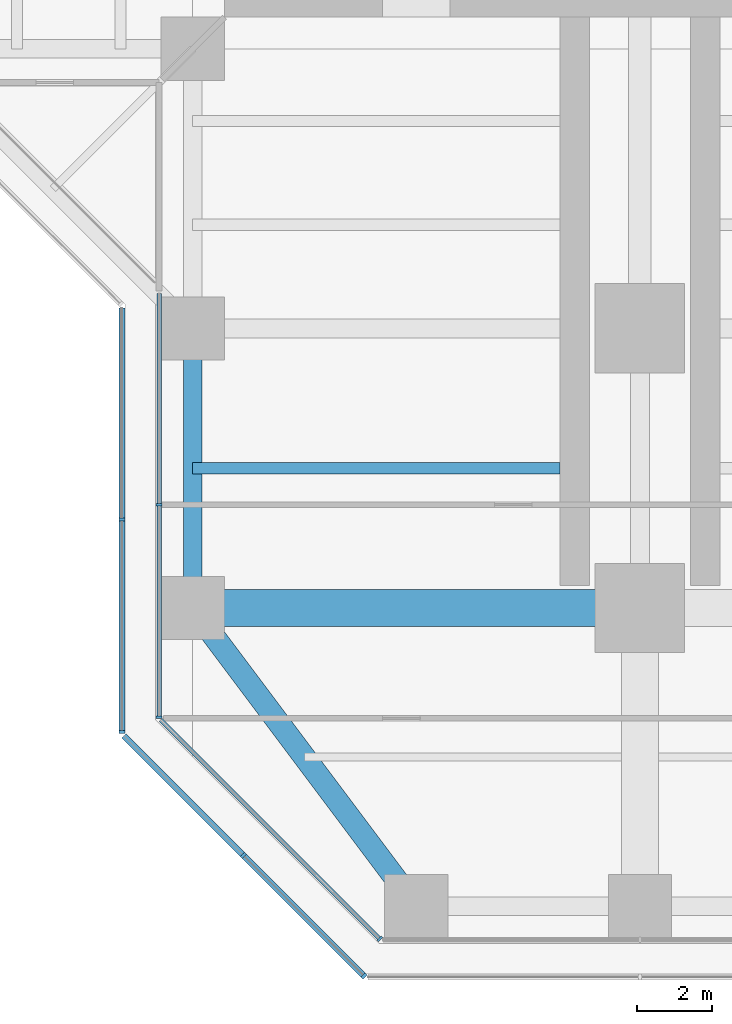
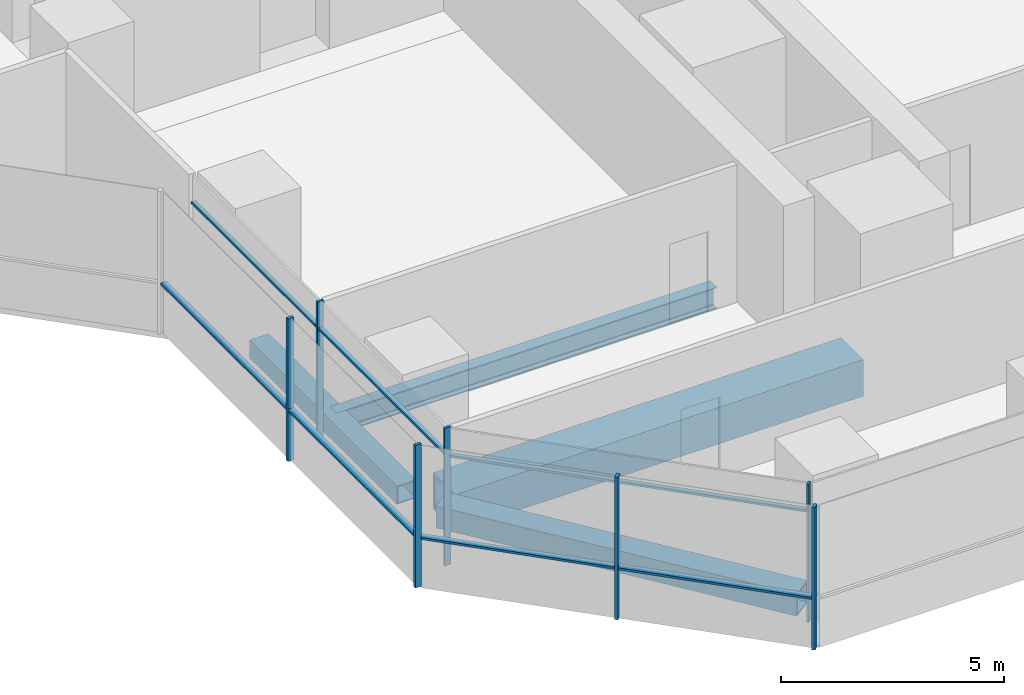
# One storey, part 2 of 22: 14 members, 4 beams, 4 elements without a shape of their own.
"""IFC4 building model written with IfcOpenShell, lengths in metres."""

import ifcopenshell
import ifcopenshell.guid

model = None  # the IFC model being written
_history = None  # IfcOwnerHistory: only IFC2X3 demands one
_inside = {}  # id of a spatial element -> (the spatial element, [elements in it])
_under = {}  # id of a project, library or spatial element -> (it, [spatial elements below it])
_declared = {}  # id of a project -> (the project, [libraries it declares])
_typed = {}  # id of a type object -> (the type object, [elements of that type])
_made_of = {}  # id of a material, layer set ... -> (it, [elements and type objects made of it])


def new_model(schema):
    """Start an empty IFC model of exactly this schema.

    Asked for "IFC4X3", IfcOpenShell would pick the latest addendum, in which some entities
    have other attributes; the version numbers below select the first issue.
    IFC2X3 requires an IfcOwnerHistory on every rooted entity: one is made here for all.
    """
    global model, _history
    if schema == "IFC4X3":
        model = ifcopenshell.file(schema_version=(4, 3, 0, 0))
    else:
        model = ifcopenshell.file(schema=schema)
    _inside.clear()
    _under.clear()
    _declared.clear()
    _typed.clear()
    _made_of.clear()
    _history = None
    if model.schema == "IFC2X3":
        org = make("IfcOrganization", Name="unknown")
        user = make(
            "IfcPersonAndOrganization",
            ThePerson=make("IfcPerson", FamilyName="unknown"),
            TheOrganization=org,
        )
        app = make(
            "IfcApplication",
            ApplicationDeveloper=org,
            Version="unknown",
            ApplicationFullName="unknown",
            ApplicationIdentifier="unknown",
        )
        _history = make(
            "IfcOwnerHistory",
            OwningUser=user,
            OwningApplication=app,
            ChangeAction="ADDED",
            CreationDate=0,
        )
    return model


def make(cls, **values):
    """One entity of the class cls with the attributes given. An attribute that is None is left unset."""
    return model.create_entity(
        cls, **{name: value for name, value in values.items() if value is not None}
    )


def rooted(cls, **values):
    """An entity with a GlobalId (a new one), such as an element, a storey or a relation."""
    return make(cls, GlobalId=ifcopenshell.guid.new(), OwnerHistory=_history, **values)


def si_unit(unit_type, name, prefix=None):
    """IfcSIUnit, for example si_unit("LENGTHUNIT", "METRE", prefix="MILLI")."""
    return make("IfcSIUnit", UnitType=unit_type, Prefix=prefix, Name=name)


def assignment(units):
    """IfcUnitAssignment: the units of a project."""
    return None if units is None else make("IfcUnitAssignment", Units=units)


def point(xyz):
    """IfcCartesianPoint."""
    return None if xyz is None else make("IfcCartesianPoint", Coordinates=xyz)


def direction(xyz):
    """IfcDirection."""
    return None if xyz is None else make("IfcDirection", DirectionRatios=xyz)


def frame(location, z_axis=None, x_axis=None):
    """IfcAxis2Placement3D, a coordinate frame: its origin and axes. An axis left out is left unset."""
    return make(
        "IfcAxis2Placement3D",
        Location=point(location),
        Axis=direction(z_axis),
        RefDirection=direction(x_axis),
    )


def frame_2d(location, x_axis=None):
    """IfcAxis2Placement2D, a coordinate frame in the plane: its origin and x axis."""
    return make(
        "IfcAxis2Placement2D", Location=point(location), RefDirection=direction(x_axis)
    )


def origin():
    """The frame at (0, 0, 0) with its axes left unset."""
    return frame((0.0, 0.0, 0.0))


def origin_2d():
    """The frame at (0, 0) in the plane with its x axis left unset."""
    return frame_2d((0.0, 0.0))


def place(relative_to, where):
    """IfcLocalPlacement: puts the frame where relative to a parent placement (None: the world)."""
    return make(
        "IfcLocalPlacement", PlacementRelTo=relative_to, RelativePlacement=where
    )


def context(
    kind, dimensions, precision=None, world=None, true_north=None, identifier=None
):
    """IfcGeometricRepresentationContext, for example the 3D "Model" context."""
    return make(
        "IfcGeometricRepresentationContext",
        ContextIdentifier=identifier,
        ContextType=kind,
        CoordinateSpaceDimension=dimensions,
        Precision=precision,
        WorldCoordinateSystem=world,
        TrueNorth=true_north,
    )


def subcontext(parent, identifier, kind, view, scale=None):
    """IfcGeometricRepresentationSubContext, for example "Body" below "Model"."""
    return make(
        "IfcGeometricRepresentationSubContext",
        ContextIdentifier=identifier,
        ContextType=kind,
        ParentContext=parent,
        TargetScale=scale,
        TargetView=view,
    )


def project(units=None, contexts=None):
    """IfcProject with its units and contexts."""
    return rooted(
        "IfcProject",
        Name="project",
        RepresentationContexts=contexts,
        UnitsInContext=assignment(units),
    )


def spatial(cls, under=None, at=None, **own):
    """A site, building, storey or space (cls), placed at a placement, below another one or the project."""
    s = rooted(cls, ObjectPlacement=at, **own)
    if under is not None:
        _under.setdefault(under.id(), (under, []))[1].append(s)
    return s


def profile(cls, at=None, kind="AREA", **sizes):
    """A parametric profile (cls). Its sizes go by their IFC names, for example OverallWidth=200.0."""
    return make(cls, ProfileType=kind, Position=at, **sizes)


def rectangle(**sizes):
    """IfcRectangleProfileDef."""
    return profile("IfcRectangleProfileDef", **sizes)


def hollow_rectangle(**sizes):
    """IfcRectangleHollowProfileDef."""
    return profile("IfcRectangleHollowProfileDef", **sizes)


def i_section(**sizes):
    """IfcIShapeProfileDef."""
    return profile("IfcIShapeProfileDef", **sizes)


def extrude(swept, where, along, depth):
    """IfcExtrudedAreaSolid: the profile swept, set in the frame where, extruded along a direction by depth."""
    return make(
        "IfcExtrudedAreaSolid",
        SweptArea=swept,
        Position=where,
        ExtrudedDirection=direction(along),
        Depth=depth,
    )


def shape(context_of_items, identifier, shape_type, items):
    """IfcShapeRepresentation: the items that make up one representation, for example the "Body"."""
    return make(
        "IfcShapeRepresentation",
        ContextOfItems=context_of_items,
        RepresentationIdentifier=identifier,
        RepresentationType=shape_type,
        Items=items,
    )


def material(Name=None, Category=None):
    """IfcMaterial."""
    return make("IfcMaterial", Name=Name, Category=Category)


def material_profile(
    of_material, cross_section, Name=None, Category=None, Priority=None
):
    """IfcMaterialProfile: a cross section and its material."""
    return make(
        "IfcMaterialProfile",
        Name=Name,
        Material=of_material,
        Profile=cross_section,
        Priority=Priority,
        Category=Category,
    )


def profile_set(profiles, Name=None, composite=None):
    """IfcMaterialProfileSet."""
    return make(
        "IfcMaterialProfileSet",
        Name=Name,
        MaterialProfiles=profiles,
        CompositeProfile=composite,
    )


def made_of(thing, what):
    """Note that an element or type object is made of a material, layer set ...; save() writes the relation."""
    if what is not None:
        _made_of.setdefault(what.id(), (what, []))[1].append(thing)
    return thing


def type_object(cls, material=None, **own):
    """A type object (cls), such as IfcWallType, which elements share."""
    return made_of(rooted(cls, **own), material)


def element(
    cls,
    number,
    at=None,
    inside=None,
    cuts=None,
    type_object=None,
    material=None,
    context=None,
    identifier="Body",
    shape_type=None,
    held_by="IfcProductDefinitionShape",
    body=None,
    shapes=None,
    **own,
):
    """One element of the class cls, such as IfcWall. Its Tag is "e" and its number.

    at: its placement. inside: the storey or other place that contains it. cuts: it is an
    opening in that element (IfcRelVoidsElement). A single representation is given by context,
    identifier, shape_type and body (its items); several are given by shapes. held_by: the class
    of the entity that holds the representations. save() writes the other relations.
    """
    e = rooted(cls, Tag="e%d" % number, ObjectPlacement=at, **own)
    if body is not None:
        shapes = [shape(context, identifier, shape_type, body)]
    if shapes is not None:
        e.Representation = make(held_by, Representations=shapes)
    if inside is not None:
        _inside.setdefault(inside.id(), (inside, []))[1].append(e)
    if cuts is not None:
        rooted(
            "IfcRelVoidsElement", RelatingBuildingElement=cuts, RelatedOpeningElement=e
        )
    if type_object is not None:
        _typed.setdefault(type_object.id(), (type_object, []))[1].append(e)
    return made_of(e, material)


def aggregate(whole, parts):
    """IfcRelAggregates: a whole, such as a stair, and the parts it consists of."""
    return rooted("IfcRelAggregates", RelatingObject=whole, RelatedObjects=parts)


def save(model, path):
    """Write the relations noted so far, then the file.

    IfcRelAggregates (storeys below a building ...), IfcRelContainedInSpatialStructure (elements
    in a storey), IfcRelDefinesByType, IfcRelAssociatesMaterial and IfcRelDeclares: one each for
    every whole, place, type object, material and project.
    """
    for whole, parts in _under.values():
        aggregate(whole, parts)
    for where, things in _inside.values():
        rooted(
            "IfcRelContainedInSpatialStructure",
            RelatedElements=things,
            RelatingStructure=where,
        )
    for kind, things in _typed.values():
        rooted("IfcRelDefinesByType", RelatedObjects=things, RelatingType=kind)
    for what, things in _made_of.values():
        rooted("IfcRelAssociatesMaterial", RelatedObjects=things, RelatingMaterial=what)
    for by, libraries in _declared.values():
        rooted("IfcRelDeclares", RelatingContext=by, RelatedDefinitions=libraries)
    model.write(path)


model = new_model("IFC4")

# Units and contexts
model_context = context("Model", 3, precision=1e-05, world=origin(), true_north=direction((0.0, 1.0)))
body_context = subcontext(model_context, "Body", "Model", "MODEL_VIEW")
ifc_project = project(units=[si_unit("LENGTHUNIT", "METRE"), si_unit("AREAUNIT", "SQUARE_METRE"), si_unit("VOLUMEUNIT", "CUBIC_METRE"), si_unit("PLANEANGLEUNIT", "RADIAN"), si_unit("MASSUNIT", "GRAM", prefix="KILO")], contexts=[model_context])

# Site, building, storey
site_placement = place(None, origin())
site = spatial("IfcSite", under=ifc_project, at=site_placement, CompositionType="ELEMENT")
building_placement = place(site_placement, origin())
building = spatial("IfcBuilding", under=site, at=building_placement, Name="Mizan Broadcast Tower", CompositionType="ELEMENT")
storey_placement = place(building_placement, frame((0.0, 0.0, 59.10009765625)))
storey = spatial("IfcBuildingStorey", under=building, at=storey_placement, Name="L11", CompositionType="ELEMENT", Elevation=59.10009765625)

# Beams
ifc_material_1 = material(Name="Steel S355", Category="steel")
ifc_material_profile_1 = material_profile(ifc_material_1, hollow_rectangle(XDim=0.5, YDim=0.5, WallThickness=0.030029296875, at=origin_2d()), Name="BOX 500x500x30")
ifc_profile_set_1 = profile_set([ifc_material_profile_1], Name="Steel S355")
beam_type_1 = type_object("IfcBeamType", Name="EDGE BEAM BOX 500x500x30", PredefinedType="SPANDREL", material=ifc_profile_set_1)
beam_1_placement = place(storey_placement, frame((-12.0, -19.949951171875, -0.380126953125), z_axis=(0.0, -1.0, 0.0), x_axis=(1.0, 0.0, 0.0)))
element("IfcBeam", 1, at=beam_1_placement, inside=storey, type_object=beam_type_1, Name="Edge beam BOX 500x500x30 L11 south arm", PredefinedType="SPANDREL", context=body_context, shape_type="SweptSolid", body=[
    extrude(hollow_rectangle(XDim=0.5, YDim=0.5, WallThickness=0.030029296875, at=origin_2d()), origin(), (0.0, 0.0, 1.0), 6.60009765625),
])
ifc_material_2 = material(Name="Steel S355", Category="steel")
ifc_material_profile_2 = material_profile(ifc_material_2, hollow_rectangle(XDim=0.60009765625, YDim=0.60009765625, WallThickness=0.030029296875, at=origin_2d()), Name="BOX 600x600x30")
ifc_profile_set_2 = profile_set([ifc_material_profile_2], Name="Steel S355")
beam_type_2 = type_object("IfcBeamType", Name="EDGE BEAM BOX 600x600x30", PredefinedType="SPANDREL", material=ifc_profile_set_2)
beam_2_placement = place(storey_placement, frame((-11.639892578125, -27.47998046875, -0.43017578125), z_axis=(0.599982243973, -0.800013316712, 0.0), x_axis=(0.800013316712, 0.599982243973, 0.0)))
element("IfcBeam", 2, at=beam_2_placement, inside=storey, type_object=beam_type_2, Name="Edge beam BOX 600x600x30 L11 south arm", PredefinedType="SPANDREL", context=body_context, shape_type="SweptSolid", body=[
    extrude(hollow_rectangle(XDim=0.60009765625, YDim=0.60009765625, WallThickness=0.030029296875, at=origin_2d()), origin(), (0.0, 0.0, 1.0), 8.7998046875),
])
ifc_material_3 = material(Name="Steel S460", Category="steel")
ifc_material_profile_3 = material_profile(ifc_material_3, hollow_rectangle(XDim=1.0, YDim=1.0, WallThickness=0.080078125, at=origin_2d()), Name="BOX 1000x1000x80")
ifc_profile_set_3 = profile_set([ifc_material_profile_3], Name="Steel S460")
beam_type_3 = type_object("IfcBeamType", Name="GIRDER BOX 1000x1000x80", PredefinedType="BEAM", material=ifc_profile_set_3)
beam_3_placement = place(storey_placement, frame((-11.280029296875, -27.0, -0.630126953125), z_axis=(1.0, 0.0, 0.0), x_axis=(0.0, 1.0, 0.0)))
element("IfcBeam", 3, at=beam_3_placement, inside=storey, type_object=beam_type_3, Name="Girder BOX 1000x1000x80 L11 south arm", PredefinedType="BEAM", context=body_context, shape_type="SweptSolid", body=[
    extrude(hollow_rectangle(XDim=1.0, YDim=1.0, WallThickness=0.080078125, at=origin_2d()), origin(), (0.0, 0.0, 1.0), 10.56005859375),
])

# Curtain wall, members
ifc_material_4 = material(Name="Aluminium framed glazing", Category="aluminium")
curtain_wall_type_1 = type_object("IfcCurtainWallType", Name="INNER SKIN LOW ZONE", PredefinedType="USERDEFINED", material=ifc_material_4)
curtain_wall_1_placement = place(storey_placement, origin())
curtain_wall_1 = element("IfcCurtainWall", 4, at=curtain_wall_1_placement, inside=storey, type_object=curtain_wall_type_1, Name="Inner skin low zone L11 S side", ObjectType="INNER SKIN LOW ZONE", PredefinedType="USERDEFINED")
ifc_material_5 = material(Name="Aluminium, pale anodised", Category="aluminium")
ifc_material_profile_4 = material_profile(ifc_material_5, rectangle(XDim=0.159912109375, YDim=0.06005859375, at=origin_2d()), Name="MULLION 160x60")
ifc_profile_set_4 = profile_set([ifc_material_profile_4], Name="Aluminium, pale anodised")
member_type_1 = type_object("IfcMemberType", Name="INNER SKIN MULLION 60x160", PredefinedType="MULLION", material=ifc_profile_set_4)
member_1_placement = place(storey_placement, frame((-12.89990234375, -24.229248046875, 0.0), z_axis=(0.0, 0.0, 1.0), x_axis=(1.0, 0.0, 0.0)))
member_1 = element("IfcMember", 5, at=member_1_placement, type_object=member_type_1, Name="Inner skin low zone L11 S side mullion 2", PredefinedType="MULLION", context=body_context, shape_type="SweptSolid", body=[
    extrude(rectangle(XDim=0.159912109375, YDim=0.06005859375, at=origin_2d()), origin(), (0.0, 0.0, 1.0), 3.77001953125),
])
member_2_placement = place(storey_placement, frame((-12.89990234375, -29.928466796875, 0.0), z_axis=(0.0, 0.0, 1.0), x_axis=(1.0, 0.0, 0.0)))
member_2 = element("IfcMember", 6, at=member_2_placement, type_object=member_type_1, Name="Inner skin low zone L11 S side mullion 3", PredefinedType="MULLION", context=body_context, shape_type="SweptSolid", body=[
    extrude(rectangle(XDim=0.159912109375, YDim=0.06005859375, at=origin_2d()), origin(), (0.0, 0.0, 1.0), 3.77001953125),
])

# Curtain wall, member
curtain_wall_2_placement = place(storey_placement, origin())
curtain_wall_2 = element("IfcCurtainWall", 7, at=curtain_wall_2_placement, inside=storey, type_object=curtain_wall_type_1, Name="Inner skin low zone L11 S chamfer", ObjectType="INNER SKIN LOW ZONE", PredefinedType="USERDEFINED")
member_3_placement = place(storey_placement, frame((-6.979736328125, -35.87890625, 0.0), z_axis=(0.0, 0.0, 1.0), x_axis=(0.707106781187, 0.707106781187, 0.0)))
member_3 = element("IfcMember", 8, at=member_3_placement, type_object=member_type_1, Name="Inner skin low zone L11 S chamfer mullion 2", PredefinedType="MULLION", context=body_context, shape_type="SweptSolid", body=[
    extrude(rectangle(XDim=0.159912109375, YDim=0.06005859375, at=origin_2d()), origin(), (0.0, 0.0, 1.0), 3.77001953125),
])

# Member
ifc_material_6 = material(Name="Aluminium, pale anodised", Category="aluminium")
ifc_material_profile_5 = material_profile(ifc_material_6, rectangle(XDim=0.1201171875, YDim=0.06005859375, at=origin_2d()), Name="TRANSOM 120x60")
ifc_profile_set_5 = profile_set([ifc_material_profile_5], Name="Aluminium, pale anodised")
member_type_2 = type_object("IfcMemberType", Name="INNER SKIN TRANSOM 60x120", PredefinedType="USERDEFINED", material=ifc_profile_set_5)
member_4_placement = place(storey_placement, frame((-12.89990234375, -18.56005859375, 3.02978515625), z_axis=(0.0, -1.0, 0.0), x_axis=(1.0, 0.0, 0.0)))
member_4 = element("IfcMember", 9, at=member_4_placement, type_object=member_type_2, Name="Inner skin low zone L11 S side transom 1.1", ObjectType="TRANSOM", PredefinedType="USERDEFINED", context=body_context, shape_type="SweptSolid", body=[
    extrude(rectangle(XDim=0.1201171875, YDim=0.06005859375, at=origin_2d()), origin(), (0.0, 0.0, 1.0), 5.63916015625),
])

member_5_placement = place(storey_placement, frame((-12.89990234375, -24.25927734375, 3.02978515625), z_axis=(0.0, -1.0, 0.0), x_axis=(1.0, 0.0, 0.0)))
member_5 = element("IfcMember", 10, at=member_5_placement, type_object=member_type_2, Name="Inner skin low zone L11 S side transom 2.1", ObjectType="TRANSOM", PredefinedType="USERDEFINED", context=body_context, shape_type="SweptSolid", body=[
    extrude(rectangle(XDim=0.1201171875, YDim=0.06005859375, at=origin_2d()), origin(), (0.0, 0.0, 1.0), 5.639404296875),
])

aggregate(curtain_wall_1, [member_1, member_2, member_4, member_5])

member_6_placement = place(storey_placement, frame((-12.857666015625, -30.0009765625, 3.02978515625), z_axis=(0.707106781187, -0.707106781187, 0.0), x_axis=(0.707106781187, 0.707106781187, 0.0)))
member_6 = element("IfcMember", 11, at=member_6_placement, type_object=member_type_2, Name="Inner skin low zone L11 S chamfer transom 1.1", ObjectType="TRANSOM", PredefinedType="USERDEFINED", context=body_context, shape_type="SweptSolid", body=[
    extrude(rectangle(XDim=0.1201171875, YDim=0.06005859375, at=origin_2d()), origin(), (0.0, 0.0, 1.0), 8.28271484375),
])

aggregate(curtain_wall_2, [member_3, member_6])

# Curtain wall, members
ifc_material_7 = material(Name="Aluminium framed glazing", Category="aluminium")
curtain_wall_type_2 = type_object("IfcCurtainWallType", Name="OUTER SKIN", PredefinedType="USERDEFINED", material=ifc_material_7)
curtain_wall_3_placement = place(storey_placement, origin())
curtain_wall_3 = element("IfcCurtainWall", 12, at=curtain_wall_3_placement, inside=storey, type_object=curtain_wall_type_2, Name="Outer skin L11 S side", ObjectType="OUTER SKIN", PredefinedType="USERDEFINED")
ifc_material_8 = material(Name="Aluminium, pale anodised", Category="aluminium")
ifc_material_profile_6 = material_profile(ifc_material_8, rectangle(XDim=0.159912109375, YDim=0.080078125, at=origin_2d()), Name="MULLION 160x80")
ifc_profile_set_6 = profile_set([ifc_material_profile_6], Name="Aluminium, pale anodised")
member_type_3 = type_object("IfcMemberType", Name="OUTER SKIN MULLION 80x160", PredefinedType="MULLION", material=ifc_profile_set_6)
member_7_placement = place(storey_placement, frame((-13.89990234375, -24.622802734375, 0.0), z_axis=(0.0, 0.0, 1.0), x_axis=(1.0, 0.0, 0.0)))
member_7 = element("IfcMember", 13, at=member_7_placement, type_object=member_type_3, Name="Outer skin L11 S side mullion 2", PredefinedType="MULLION", context=body_context, shape_type="SweptSolid", body=[
    extrude(rectangle(XDim=0.159912109375, YDim=0.080078125, at=origin_2d()), origin(), (0.0, 0.0, 1.0), 3.89990234375),
])
member_8_placement = place(storey_placement, frame((-13.89990234375, -30.332763671875, 0.0), z_axis=(0.0, 0.0, 1.0), x_axis=(1.0, 0.0, 0.0)))
member_8 = element("IfcMember", 14, at=member_8_placement, type_object=member_type_3, Name="Outer skin L11 S side mullion 3", PredefinedType="MULLION", context=body_context, shape_type="SweptSolid", body=[
    extrude(rectangle(XDim=0.159912109375, YDim=0.080078125, at=origin_2d()), origin(), (0.0, 0.0, 1.0), 3.89990234375),
])

curtain_wall_4_placement = place(storey_placement, origin())
curtain_wall_4 = element("IfcCurtainWall", 15, at=curtain_wall_4_placement, inside=storey, type_object=curtain_wall_type_2, Name="Outer skin L11 S chamfer", ObjectType="OUTER SKIN", PredefinedType="USERDEFINED")
member_9_placement = place(storey_placement, frame((-10.636474609375, -33.636474609375, 0.0), z_axis=(0.0, 0.0, 1.0), x_axis=(0.707106781187, 0.707106781187, 0.0)))
member_9 = element("IfcMember", 16, at=member_9_placement, type_object=member_type_3, Name="Outer skin L11 S chamfer mullion 2", PredefinedType="MULLION", context=body_context, shape_type="SweptSolid", body=[
    extrude(rectangle(XDim=0.159912109375, YDim=0.080078125, at=origin_2d()), origin(), (0.0, 0.0, 1.0), 3.89990234375),
])
member_10_placement = place(storey_placement, frame((-7.401123046875, -36.871826171875, 0.0), z_axis=(0.0, 0.0, 1.0), x_axis=(0.707106781187, 0.707106781187, 0.0)))
member_10 = element("IfcMember", 17, at=member_10_placement, type_object=member_type_3, Name="Outer skin L11 S chamfer mullion 3", PredefinedType="MULLION", context=body_context, shape_type="SweptSolid", body=[
    extrude(rectangle(XDim=0.159912109375, YDim=0.080078125, at=origin_2d()), origin(), (0.0, 0.0, 1.0), 3.89990234375),
])

# Member
ifc_material_9 = material(Name="Aluminium, pale anodised", Category="aluminium")
ifc_material_profile_7 = material_profile(ifc_material_9, rectangle(XDim=0.159912109375, YDim=0.06005859375, at=origin_2d()), Name="TRANSOM 160x60")
ifc_profile_set_7 = profile_set([ifc_material_profile_7], Name="Aluminium, pale anodised")
member_type_4 = type_object("IfcMemberType", Name="OUTER SKIN TRANSOM 60x160", PredefinedType="USERDEFINED", material=ifc_profile_set_7)
member_11_placement = place(storey_placement, frame((-13.89990234375, -18.952880859375, 1.39990234375), z_axis=(0.0, -1.0, 0.0), x_axis=(1.0, 0.0, 0.0)))
member_11 = element("IfcMember", 18, at=member_11_placement, type_object=member_type_4, Name="Outer skin L11 S side transom 1.1", ObjectType="TRANSOM", PredefinedType="USERDEFINED", context=body_context, shape_type="SweptSolid", body=[
    extrude(rectangle(XDim=0.159912109375, YDim=0.06005859375, at=origin_2d()), origin(), (0.0, 0.0, 1.0), 5.6298828125),
])

member_12_placement = place(storey_placement, frame((-13.89990234375, -24.662841796875, 1.39990234375), z_axis=(0.0, -1.0, 0.0), x_axis=(1.0, 0.0, 0.0)))
member_12 = element("IfcMember", 19, at=member_12_placement, type_object=member_type_4, Name="Outer skin L11 S side transom 2.1", ObjectType="TRANSOM", PredefinedType="USERDEFINED", context=body_context, shape_type="SweptSolid", body=[
    extrude(rectangle(XDim=0.159912109375, YDim=0.06005859375, at=origin_2d()), origin(), (0.0, 0.0, 1.0), 5.6298828125),
])

aggregate(curtain_wall_3, [member_7, member_8, member_11, member_12])

member_13_placement = place(storey_placement, frame((-13.843505859375, -30.429443359375, 1.39990234375), z_axis=(0.707106781187, -0.707106781187, 0.0), x_axis=(0.707106781187, 0.707106781187, 0.0)))
member_13 = element("IfcMember", 20, at=member_13_placement, type_object=member_type_4, Name="Outer skin L11 S chamfer transom 1.1", ObjectType="TRANSOM", PredefinedType="USERDEFINED", context=body_context, shape_type="SweptSolid", body=[
    extrude(rectangle(XDim=0.159912109375, YDim=0.06005859375, at=origin_2d()), origin(), (0.0, 0.0, 1.0), 4.495361328125),
])

member_14_placement = place(storey_placement, frame((-10.608154296875, -33.664794921875, 1.39990234375), z_axis=(0.707106781187, -0.707106781187, 0.0), x_axis=(0.707106781187, 0.707106781187, 0.0)))
member_14 = element("IfcMember", 21, at=member_14_placement, type_object=member_type_4, Name="Outer skin L11 S chamfer transom 2.1", ObjectType="TRANSOM", PredefinedType="USERDEFINED", context=body_context, shape_type="SweptSolid", body=[
    extrude(rectangle(XDim=0.159912109375, YDim=0.06005859375, at=origin_2d()), origin(), (0.0, 0.0, 1.0), 4.495361328125),
])

aggregate(curtain_wall_4, [member_9, member_10, member_13, member_14])

# Beam
ifc_material_10 = material(Name="Steel S355", Category="steel")
ifc_material_profile_8 = material_profile(ifc_material_10, i_section(OverallWidth=0.300048828125, OverallDepth=0.590087890625, WebThickness=0.012939453125, FlangeThickness=0.02490234375, FilletRadius=0.027099609375, at=origin_2d()), Name="HEA 600")
ifc_profile_set_8 = profile_set([ifc_material_profile_8], Name="Steel S355")
beam_type_4 = type_object("IfcBeamType", Name="SECONDARY BEAM HEA 600", PredefinedType="JOIST", material=ifc_profile_set_8)
beam_4_placement = place(storey_placement, frame((-12.0, -23.25, -0.425048828125), z_axis=(1.0, 0.0, 0.0), x_axis=(0.0, 1.0, 0.0)))
element("IfcBeam", 22, at=beam_4_placement, inside=storey, type_object=beam_type_4, Name="Secondary beam HEA 600 L11 south arm", PredefinedType="JOIST", context=body_context, shape_type="SweptSolid", body=[
    extrude(i_section(OverallWidth=0.300048828125, OverallDepth=0.590087890625, WebThickness=0.012939453125, FlangeThickness=0.02490234375, FilletRadius=0.027099609375, at=origin_2d()), origin(), (0.0, 0.0, 1.0), 9.85009765625),
])

save(model, "model.ifc")
